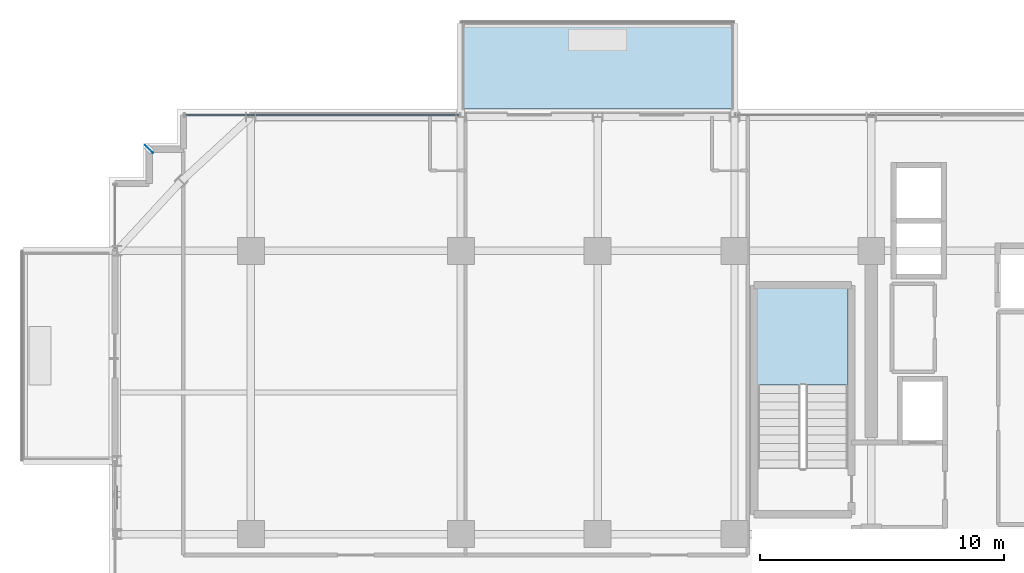
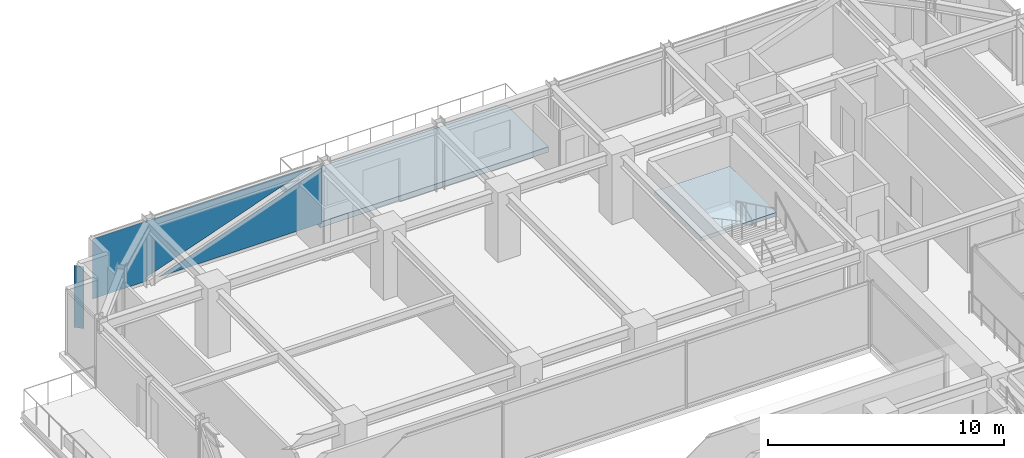
# One storey, part 34 of 43: 2 plates, 2 slabs, 2 elements without a shape of their own.
"""IFC4 building model written with IfcOpenShell, lengths in metres."""

from ifc_helpers import new_model, si_unit, direction, frame, origin, origin_2d, place, context, subcontext, project, spatial, polyline, rectangle, outline, extrude, source, transform, mapped, material, layer, layer_set, type_object, element, aggregate, save


model = new_model("IFC4")

# Units and contexts
model_context = context("Model", 3, precision=1e-05, world=origin(), true_north=direction((0.0, 1.0)))
body_context = subcontext(model_context, "Body", "Model", "MODEL_VIEW")
ifc_project = project(units=[si_unit("LENGTHUNIT", "METRE"), si_unit("AREAUNIT", "SQUARE_METRE"), si_unit("VOLUMEUNIT", "CUBIC_METRE"), si_unit("PLANEANGLEUNIT", "RADIAN"), si_unit("MASSUNIT", "GRAM", prefix="KILO")], contexts=[model_context])

# Site, building, storey
site_placement = place(None, origin())
site = spatial("IfcSite", under=ifc_project, at=site_placement, CompositionType="ELEMENT")
building_placement = place(site_placement, origin())
building = spatial("IfcBuilding", under=site, at=building_placement, Name="Nahalor Promenade Grand Hotel", CompositionType="ELEMENT")
storey_placement = place(building_placement, frame((0.0, 0.0, 181.85009765625)))
storey = spatial("IfcBuildingStorey", under=building, at=storey_placement, Name="L46", CompositionType="ELEMENT", Elevation=181.85009765625)

# Curtain wall, plate
ifc_material_1 = material(Name="Anodised Bronze Aluminium EN AW-6063 T6", Category="aluminium")
curtain_wall_type = type_object("IfcCurtainWallType", Name="CW3 Elliptical-Void Collar Unitised Curtain Wall", PredefinedType="USERDEFINED", material=ifc_material_1)
curtain_wall_placement = place(storey_placement, origin())
curtain_wall = element("IfcCurtainWall", 1, at=curtain_wall_placement, inside=storey, type_object=curtain_wall_type, Name="L46 Curtain Wall CW-L46-N-1", ObjectType="UNITISED_CURTAIN_WALL", PredefinedType="USERDEFINED")
ifc_material_2 = material(Name="Low-E Laminated Solar Glass", Category="glass")
ifc_layer_1 = layer(ifc_material_2, 0.030029296875)
ifc_layer_set_1 = layer_set([ifc_layer_1], Name="Low-E Laminated Solar Glass")
plate_type_1 = type_object("IfcPlateType", Name="CWP3 High-Wind Laminated Bronze IGU 30mm", PredefinedType="CURTAIN_PANEL", material=ifc_layer_set_1)
plate_1_placement = place(storey_placement, frame((-14.080078125, 22.56005859375, 0.1396484375), z_axis=(0.0, 0.0, 1.0), x_axis=(1.0, 0.0, 0.0)))
plate_1 = element("IfcPlate", 2, at=plate_1_placement, type_object=plate_type_1, Name="CW-L46-N-1 Glazing Panel 0-0", PredefinedType="CURTAIN_PANEL", context=body_context, shape_type="SweptSolid", body=[
    extrude(outline(polyline([(-5.610107421875, 3.110107421875), (-5.610107421875, 0.0), (-2.94287109375, 0.0), (-3.01123046875, 0.189697265625), (5.116455078125, 3.110107421875), (-5.610107421875, 3.110107421875)])), frame((0.0, 0.01513671875, 0.0), z_axis=(0.0, -1.0, 0.0), x_axis=(1.0, 0.0, 0.0)), (0.0, 0.0, 1.0), 0.030029296875),
    extrude(outline(polyline([(-2.3564453125, 0.0), (5.610107421875, 0.0), (5.610107421875, 2.8623046875), (-2.3564453125, 0.0)])), frame((0.0, 0.01513671875, 0.0), z_axis=(0.0, -1.0, 0.0), x_axis=(1.0, 0.0, 0.0)), (0.0, 0.0, 1.0), 0.030029296875),
])
aggregate(curtain_wall, [plate_1])

# Stair, slab
ifc_material_3 = material(Name="Concrete B-50 (C40/50)", Category="concrete")
stair_type = type_object("IfcStairType", Name="Stair-ST1", PredefinedType="HALF_TURN_STAIR", material=ifc_material_3)
stair_placement = place(storey_placement, origin())
stair = element("IfcStair", 3, at=stair_placement, inside=storey, type_object=stair_type, Name="L46 ST1", PredefinedType="HALF_TURN_STAIR")
ifc_layer_2 = layer(ifc_material_3, 0.199951171875)
ifc_layer_set_2 = layer_set([ifc_layer_2], Name="Concrete B-50 (C40/50)")
slab_type_1 = type_object("IfcSlabType", Name="Landing-ST1", PredefinedType="LANDING", material=ifc_layer_set_2)
slab_1_placement = place(storey_placement, frame((0.0, 0.0, 1.625)))
slab_1 = element("IfcSlab", 4, at=slab_1_placement, type_object=slab_type_1, Name="ST1 landing 1", PredefinedType="LANDING", context=body_context, shape_type="SweptSolid", body=[
    extrude(outline(polyline([(7.449951171875, 11.5), (7.449951171875, 15.449951171875), (3.75, 15.449951171875), (3.75, 11.5), (7.449951171875, 11.5)])), origin(), (0.0, 0.0, 1.0), 0.199951171875),
])
aggregate(stair, [slab_1])

# Slab
ifc_layer_3 = layer(ifc_material_3, 0.280029296875)
ifc_layer_set_3 = layer_set([ifc_layer_3], Name="Concrete B-50 (C40/50)")
slab_type_2 = type_object("IfcSlabType", Name="Slab-Balcony-280", PredefinedType="FLOOR", material=ifc_layer_set_3)
slab_2_placement = place(storey_placement, frame((0.0, 0.0, -0.280029296875)))
element("IfcSlab", 5, at=slab_2_placement, inside=storey, type_object=slab_type_2, Name="L46 Cantilevered Planted Balcony 1", PredefinedType="FLOOR", context=body_context, shape_type="SweptSolid", body=[
    extrude(outline(polyline([(-8.39990234375, 22.800048828125), (2.800048828125, 22.800048828125), (2.800048828125, 26.3798828125), (-8.39990234375, 26.3798828125), (-8.39990234375, 22.800048828125)])), origin(), (0.0, 0.0, 1.0), 0.280029296875),
])

# Plate
ifc_layer_4 = layer(ifc_material_1, 0.02001953125)
ifc_layer_set_4 = layer_set([ifc_layer_4], Name="Anodised Bronze Aluminium EN AW-6063 T6")
plate_type_2 = type_object("IfcPlateType", Name="Plate-CornerFin-20", PredefinedType="SHEET", material=ifc_layer_set_4)
shared_shape = source(origin(), body_context, "Body", "SweptSolid", [
    extrude(rectangle(XDim=0.449951171875, YDim=0.02001953125, at=origin_2d()), origin(), (0.0, 0.0, 1.0), 3.199951171875),
])
plate_2_placement = place(storey_placement, frame((-21.159912109375, 21.159912109375, 0.0), z_axis=(0.0, 0.0, 1.0), x_axis=(-0.707106781187, 0.707106781187, 0.0)))
element("IfcPlate", 6, at=plate_2_placement, inside=storey, type_object=plate_type_2, Name="FIN-L46-NW", PredefinedType="SHEET", context=body_context, shape_type="MappedRepresentation", body=[
    mapped(shared_shape, transform((0.0, 0.0, 0.0), scale=1.0)),
])

save(model, "model.ifc")
